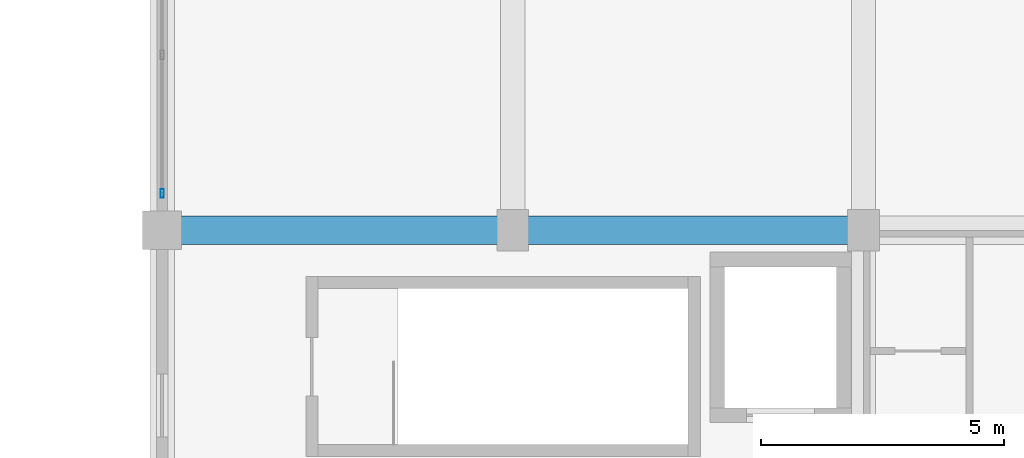
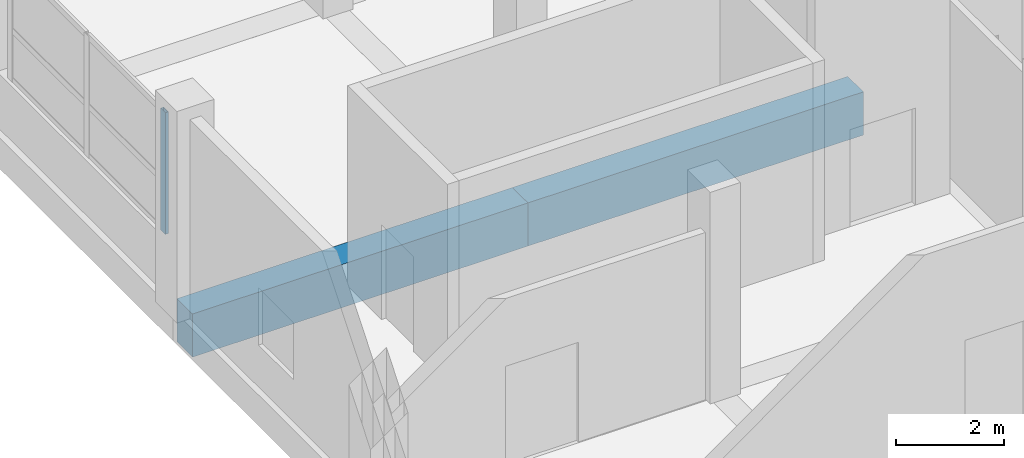
# One storey, part 75 of 140: 2 beams, 1 member, 1 element without a shape of its own.
"""IFC4 building model written with IfcOpenShell, lengths in metres."""

from ifc_helpers import new_model, si_unit, direction, frame, origin, origin_2d, place, context, subcontext, project, spatial, rectangle, hollow_rectangle, extrude, material, layer, layer_set, material_profile, profile_set, type_object, element, aggregate, save


model = new_model("IFC4")

# Units and contexts
model_context = context("Model", 3, precision=1e-05, world=origin(), true_north=direction((0.0, 1.0)))
body_context = subcontext(model_context, "Body", "Model", "MODEL_VIEW")
ifc_project = project(units=[si_unit("LENGTHUNIT", "METRE"), si_unit("AREAUNIT", "SQUARE_METRE"), si_unit("VOLUMEUNIT", "CUBIC_METRE"), si_unit("PLANEANGLEUNIT", "RADIAN"), si_unit("MASSUNIT", "GRAM", prefix="KILO")], contexts=[model_context])

# Site, building, storey
site_placement = place(None, origin())
site = spatial("IfcSite", under=ifc_project, at=site_placement, CompositionType="ELEMENT")
building_placement = place(site_placement, origin())
building = spatial("IfcBuilding", under=site, at=building_placement, Name="Seraya Terrace Polytechnic", CompositionType="ELEMENT")
storey_placement = place(building_placement, frame((0.0, 0.0, 9.60009765625)))
storey = spatial("IfcBuildingStorey", under=building, at=storey_placement, Name="L02", CompositionType="ELEMENT", Elevation=9.60009765625)

# Beams
ifc_material_1 = material(Name="Concrete C40/50", Category="concrete")
ifc_material_profile_1 = material_profile(ifc_material_1, rectangle(XDim=0.580078125, YDim=0.97998046875, at=origin_2d()), Name="RC 580x980")
ifc_profile_set_1 = profile_set([ifc_material_profile_1], Name="Concrete C40/50")
beam_type = type_object("IfcBeamType", Name="BM-02", PredefinedType="BEAM", material=ifc_profile_set_1)
beam_1_placement = place(storey_placement, frame((115.199951171875, 93.60009765625, -0.489990234375), z_axis=(1.0, 0.0, 0.0), x_axis=(0.0, 1.0, 0.0)))
element("IfcBeam", 1, at=beam_1_placement, inside=storey, type_object=beam_type, Name="Beam BM-02 L02 X (115.2..122.4, 93.6)", PredefinedType="BEAM", context=body_context, shape_type="SweptSolid", body=[
    extrude(rectangle(XDim=0.580078125, YDim=0.97998046875, at=origin_2d()), origin(), (0.0, 0.0, 1.0), 7.199951171875),
])
beam_2_placement = place(storey_placement, frame((122.39990234375, 93.60009765625, -0.489990234375), z_axis=(1.0, 0.0, 0.0), x_axis=(0.0, 1.0, 0.0)))
element("IfcBeam", 2, at=beam_2_placement, inside=storey, type_object=beam_type, Name="Beam BM-02 L02 X (122.4..129.6, 93.6)", PredefinedType="BEAM", context=body_context, shape_type="SweptSolid", body=[
    extrude(rectangle(XDim=0.580078125, YDim=0.97998046875, at=origin_2d()), origin(), (0.0, 0.0, 1.0), 7.2001953125),
])

# Curtain wall, member
ifc_material_2 = material(Name="Anodised aluminium EN AW-6063 T6", Category="aluminium")
ifc_layer = layer(ifc_material_2, 0.179931640625, Name="CW-22")
ifc_layer_set = layer_set([ifc_layer], Name="Anodised aluminium EN AW-6063 T6")
curtain_wall_type = type_object("IfcCurtainWallType", Name="CW-22", PredefinedType="NOTDEFINED", material=ifc_layer_set)
curtain_wall_placement = place(storey_placement, origin())
curtain_wall = element("IfcCurtainWall", 3, at=curtain_wall_placement, inside=storey, type_object=curtain_wall_type, Name="Unitised curtain wall CW-22 (CW-L02-094)", PredefinedType="NOTDEFINED")
ifc_material_profile_2 = material_profile(ifc_material_2, hollow_rectangle(XDim=0.06494140625, YDim=0.179931640625, WallThickness=0.00390625, at=origin_2d()), Name="RHS 180x65x4.0")
ifc_profile_set_2 = profile_set([ifc_material_profile_2], Name="Anodised aluminium EN AW-6063 T6")
member_type = type_object("IfcMemberType", Name="CWM-01", PredefinedType="MULLION", material=ifc_profile_set_2)
member_placement = place(storey_placement, frame((115.199951171875, 94.3525390625, 1.239990234375), z_axis=(0.0, 0.0, 1.0), x_axis=(-1.0, 0.0, 0.0)))
member = element("IfcMember", 4, at=member_placement, type_object=member_type, Name="CW-22 mullion 1", PredefinedType="MULLION", context=body_context, shape_type="SweptSolid", body=[
    extrude(hollow_rectangle(XDim=0.06494140625, YDim=0.179931640625, WallThickness=0.00390625, at=origin_2d()), origin(), (0.0, 0.0, 1.0), 2.760009765625),
])
aggregate(curtain_wall, [member])

save(model, "model.ifc")
